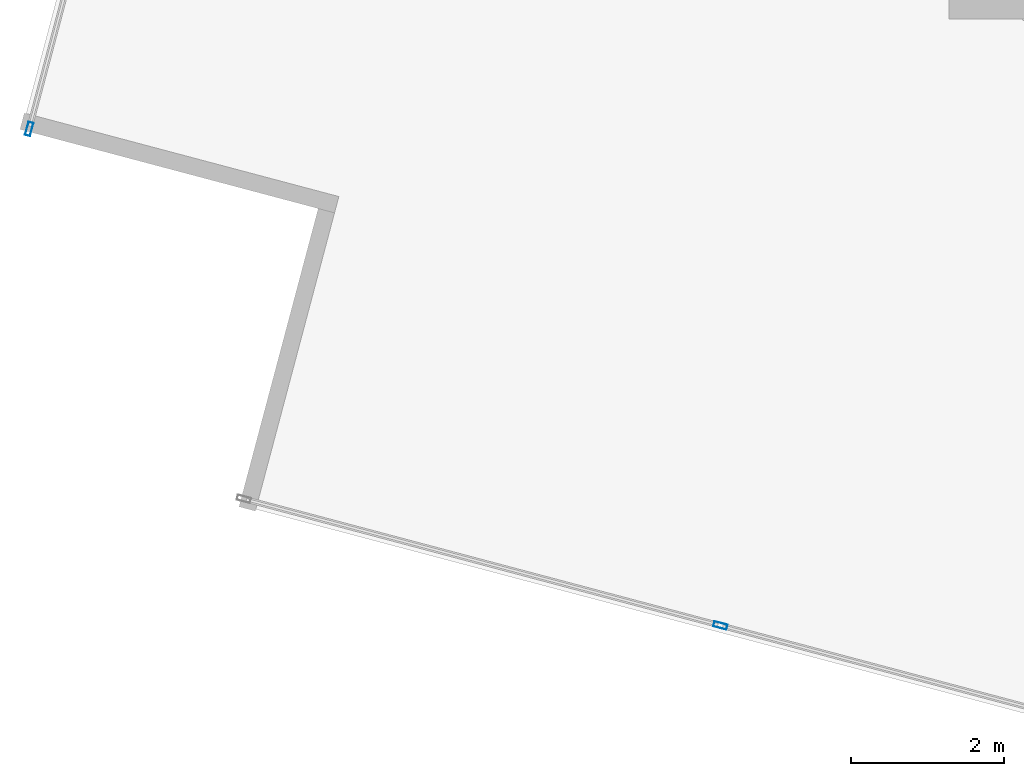
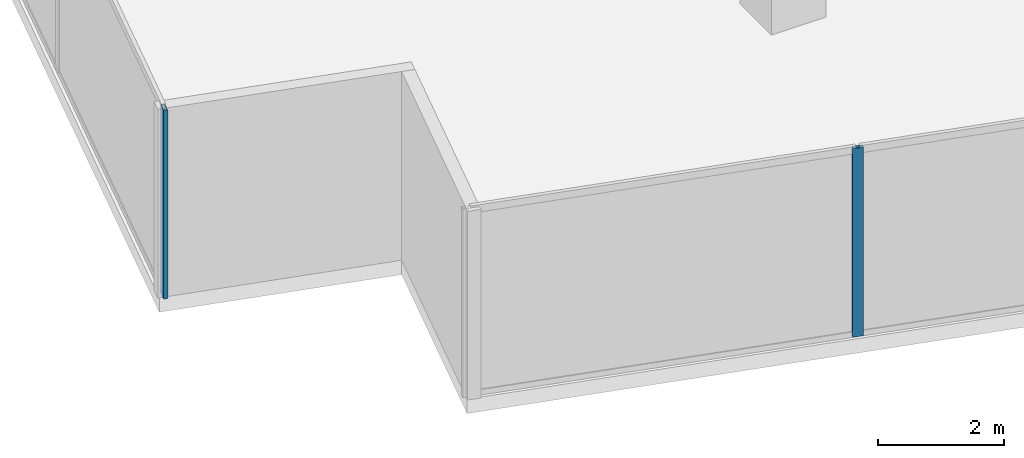
# One storey, part 3 of 27: 2 members, 2 elements without a shape of their own.
"""IFC4 building model written with IfcOpenShell, lengths in metres."""

import ifcopenshell
import ifcopenshell.guid

model = None  # the IFC model being written
_history = None  # IfcOwnerHistory: only IFC2X3 demands one
_inside = {}  # id of a spatial element -> (the spatial element, [elements in it])
_under = {}  # id of a project, library or spatial element -> (it, [spatial elements below it])
_declared = {}  # id of a project -> (the project, [libraries it declares])
_typed = {}  # id of a type object -> (the type object, [elements of that type])
_made_of = {}  # id of a material, layer set ... -> (it, [elements and type objects made of it])


def new_model(schema):
    """Start an empty IFC model of exactly this schema.

    Asked for "IFC4X3", IfcOpenShell would pick the latest addendum, in which some entities
    have other attributes; the version numbers below select the first issue.
    IFC2X3 requires an IfcOwnerHistory on every rooted entity: one is made here for all.
    """
    global model, _history
    if schema == "IFC4X3":
        model = ifcopenshell.file(schema_version=(4, 3, 0, 0))
    else:
        model = ifcopenshell.file(schema=schema)
    _inside.clear()
    _under.clear()
    _declared.clear()
    _typed.clear()
    _made_of.clear()
    _history = None
    if model.schema == "IFC2X3":
        org = make("IfcOrganization", Name="unknown")
        user = make(
            "IfcPersonAndOrganization",
            ThePerson=make("IfcPerson", FamilyName="unknown"),
            TheOrganization=org,
        )
        app = make(
            "IfcApplication",
            ApplicationDeveloper=org,
            Version="unknown",
            ApplicationFullName="unknown",
            ApplicationIdentifier="unknown",
        )
        _history = make(
            "IfcOwnerHistory",
            OwningUser=user,
            OwningApplication=app,
            ChangeAction="ADDED",
            CreationDate=0,
        )
    return model


def make(cls, **values):
    """One entity of the class cls with the attributes given. An attribute that is None is left unset."""
    return model.create_entity(
        cls, **{name: value for name, value in values.items() if value is not None}
    )


def rooted(cls, **values):
    """An entity with a GlobalId (a new one), such as an element, a storey or a relation."""
    return make(cls, GlobalId=ifcopenshell.guid.new(), OwnerHistory=_history, **values)


def si_unit(unit_type, name, prefix=None):
    """IfcSIUnit, for example si_unit("LENGTHUNIT", "METRE", prefix="MILLI")."""
    return make("IfcSIUnit", UnitType=unit_type, Prefix=prefix, Name=name)


def assignment(units):
    """IfcUnitAssignment: the units of a project."""
    return None if units is None else make("IfcUnitAssignment", Units=units)


def point(xyz):
    """IfcCartesianPoint."""
    return None if xyz is None else make("IfcCartesianPoint", Coordinates=xyz)


def direction(xyz):
    """IfcDirection."""
    return None if xyz is None else make("IfcDirection", DirectionRatios=xyz)


def frame(location, z_axis=None, x_axis=None):
    """IfcAxis2Placement3D, a coordinate frame: its origin and axes. An axis left out is left unset."""
    return make(
        "IfcAxis2Placement3D",
        Location=point(location),
        Axis=direction(z_axis),
        RefDirection=direction(x_axis),
    )


def frame_2d(location, x_axis=None):
    """IfcAxis2Placement2D, a coordinate frame in the plane: its origin and x axis."""
    return make(
        "IfcAxis2Placement2D", Location=point(location), RefDirection=direction(x_axis)
    )


def origin():
    """The frame at (0, 0, 0) with its axes left unset."""
    return frame((0.0, 0.0, 0.0))


def origin_2d():
    """The frame at (0, 0) in the plane with its x axis left unset."""
    return frame_2d((0.0, 0.0))


def place(relative_to, where):
    """IfcLocalPlacement: puts the frame where relative to a parent placement (None: the world)."""
    return make(
        "IfcLocalPlacement", PlacementRelTo=relative_to, RelativePlacement=where
    )


def context(
    kind, dimensions, precision=None, world=None, true_north=None, identifier=None
):
    """IfcGeometricRepresentationContext, for example the 3D "Model" context."""
    return make(
        "IfcGeometricRepresentationContext",
        ContextIdentifier=identifier,
        ContextType=kind,
        CoordinateSpaceDimension=dimensions,
        Precision=precision,
        WorldCoordinateSystem=world,
        TrueNorth=true_north,
    )


def subcontext(parent, identifier, kind, view, scale=None):
    """IfcGeometricRepresentationSubContext, for example "Body" below "Model"."""
    return make(
        "IfcGeometricRepresentationSubContext",
        ContextIdentifier=identifier,
        ContextType=kind,
        ParentContext=parent,
        TargetScale=scale,
        TargetView=view,
    )


def project(units=None, contexts=None):
    """IfcProject with its units and contexts."""
    return rooted(
        "IfcProject",
        Name="project",
        RepresentationContexts=contexts,
        UnitsInContext=assignment(units),
    )


def spatial(cls, under=None, at=None, **own):
    """A site, building, storey or space (cls), placed at a placement, below another one or the project."""
    s = rooted(cls, ObjectPlacement=at, **own)
    if under is not None:
        _under.setdefault(under.id(), (under, []))[1].append(s)
    return s


def profile(cls, at=None, kind="AREA", **sizes):
    """A parametric profile (cls). Its sizes go by their IFC names, for example OverallWidth=200.0."""
    return make(cls, ProfileType=kind, Position=at, **sizes)


def hollow_rectangle(**sizes):
    """IfcRectangleHollowProfileDef."""
    return profile("IfcRectangleHollowProfileDef", **sizes)


def extrude(swept, where, along, depth):
    """IfcExtrudedAreaSolid: the profile swept, set in the frame where, extruded along a direction by depth."""
    return make(
        "IfcExtrudedAreaSolid",
        SweptArea=swept,
        Position=where,
        ExtrudedDirection=direction(along),
        Depth=depth,
    )


def shape(context_of_items, identifier, shape_type, items):
    """IfcShapeRepresentation: the items that make up one representation, for example the "Body"."""
    return make(
        "IfcShapeRepresentation",
        ContextOfItems=context_of_items,
        RepresentationIdentifier=identifier,
        RepresentationType=shape_type,
        Items=items,
    )


def source(mapping_origin, context_of_items, identifier, shape_type, items):
    """IfcRepresentationMap: a shape defined once, which mapped items show again and again."""
    return make(
        "IfcRepresentationMap",
        MappingOrigin=mapping_origin,
        MappedRepresentation=shape(context_of_items, identifier, shape_type, items),
    )


def transform(
    local_origin,
    x_axis=None,
    y_axis=None,
    z_axis=None,
    scale=None,
    scale2=None,
    scale3=None,
    uniform=True,
):
    """IfcCartesianTransformationOperator3D, or its non-uniform kind. x_axis, y_axis, z_axis: its Axis1, 2, 3."""
    if uniform:
        return make(
            "IfcCartesianTransformationOperator3D",
            Axis1=direction(x_axis),
            Axis2=direction(y_axis),
            LocalOrigin=point(local_origin),
            Scale=scale,
            Axis3=direction(z_axis),
        )
    return make(
        "IfcCartesianTransformationOperator3DnonUniform",
        Axis1=direction(x_axis),
        Axis2=direction(y_axis),
        LocalOrigin=point(local_origin),
        Scale=scale,
        Axis3=direction(z_axis),
        Scale2=scale2,
        Scale3=scale3,
    )


def mapped(mapping_source, mapping_target):
    """IfcMappedItem: shows the shape of a source again, moved by a transform."""
    return make(
        "IfcMappedItem", MappingSource=mapping_source, MappingTarget=mapping_target
    )


def material(Name=None, Category=None):
    """IfcMaterial."""
    return make("IfcMaterial", Name=Name, Category=Category)


def material_profile(
    of_material, cross_section, Name=None, Category=None, Priority=None
):
    """IfcMaterialProfile: a cross section and its material."""
    return make(
        "IfcMaterialProfile",
        Name=Name,
        Material=of_material,
        Profile=cross_section,
        Priority=Priority,
        Category=Category,
    )


def profile_set(profiles, Name=None, composite=None):
    """IfcMaterialProfileSet."""
    return make(
        "IfcMaterialProfileSet",
        Name=Name,
        MaterialProfiles=profiles,
        CompositeProfile=composite,
    )


def made_of(thing, what):
    """Note that an element or type object is made of a material, layer set ...; save() writes the relation."""
    if what is not None:
        _made_of.setdefault(what.id(), (what, []))[1].append(thing)
    return thing


def type_object(cls, material=None, **own):
    """A type object (cls), such as IfcWallType, which elements share."""
    return made_of(rooted(cls, **own), material)


def type_shapes(of_type, sources):
    """Give a type object the sources (RepresentationMaps) that its elements show as mapped items."""
    of_type.RepresentationMaps = sources


def element(
    cls,
    number,
    at=None,
    inside=None,
    cuts=None,
    type_object=None,
    material=None,
    context=None,
    identifier="Body",
    shape_type=None,
    held_by="IfcProductDefinitionShape",
    body=None,
    shapes=None,
    **own,
):
    """One element of the class cls, such as IfcWall. Its Tag is "e" and its number.

    at: its placement. inside: the storey or other place that contains it. cuts: it is an
    opening in that element (IfcRelVoidsElement). A single representation is given by context,
    identifier, shape_type and body (its items); several are given by shapes. held_by: the class
    of the entity that holds the representations. save() writes the other relations.
    """
    e = rooted(cls, Tag="e%d" % number, ObjectPlacement=at, **own)
    if body is not None:
        shapes = [shape(context, identifier, shape_type, body)]
    if shapes is not None:
        e.Representation = make(held_by, Representations=shapes)
    if inside is not None:
        _inside.setdefault(inside.id(), (inside, []))[1].append(e)
    if cuts is not None:
        rooted(
            "IfcRelVoidsElement", RelatingBuildingElement=cuts, RelatedOpeningElement=e
        )
    if type_object is not None:
        _typed.setdefault(type_object.id(), (type_object, []))[1].append(e)
    return made_of(e, material)


def aggregate(whole, parts):
    """IfcRelAggregates: a whole, such as a stair, and the parts it consists of."""
    return rooted("IfcRelAggregates", RelatingObject=whole, RelatedObjects=parts)


def save(model, path):
    """Write the relations noted so far, then the file.

    IfcRelAggregates (storeys below a building ...), IfcRelContainedInSpatialStructure (elements
    in a storey), IfcRelDefinesByType, IfcRelAssociatesMaterial and IfcRelDeclares: one each for
    every whole, place, type object, material and project.
    """
    for whole, parts in _under.values():
        aggregate(whole, parts)
    for where, things in _inside.values():
        rooted(
            "IfcRelContainedInSpatialStructure",
            RelatedElements=things,
            RelatingStructure=where,
        )
    for kind, things in _typed.values():
        rooted("IfcRelDefinesByType", RelatedObjects=things, RelatingType=kind)
    for what, things in _made_of.values():
        rooted("IfcRelAssociatesMaterial", RelatedObjects=things, RelatingMaterial=what)
    for by, libraries in _declared.values():
        rooted("IfcRelDeclares", RelatingContext=by, RelatedDefinitions=libraries)
    model.write(path)


model = new_model("IFC4")

# Units and contexts
model_context = context("Model", 3, precision=1e-05, world=origin(), true_north=direction((0.0, 1.0)))
body_context = subcontext(model_context, "Body", "Model", "MODEL_VIEW")
ifc_project = project(units=[si_unit("LENGTHUNIT", "METRE"), si_unit("AREAUNIT", "SQUARE_METRE"), si_unit("VOLUMEUNIT", "CUBIC_METRE"), si_unit("PLANEANGLEUNIT", "RADIAN"), si_unit("MASSUNIT", "GRAM", prefix="KILO")], contexts=[model_context])

# Site, building, storey
site_placement = place(None, origin())
site = spatial("IfcSite", under=ifc_project, at=site_placement, CompositionType="ELEMENT")
building_placement = place(site_placement, origin())
building = spatial("IfcBuilding", under=site, at=building_placement, Name="Krantzveldt Concourse Tower", CompositionType="ELEMENT")
storey_placement = place(building_placement, frame((0.0, 0.0, 101.89990234375)))
storey = spatial("IfcBuildingStorey", under=building, at=storey_placement, Name="L24", CompositionType="ELEMENT", Elevation=101.89990234375)

# Curtain wall, member
ifc_material = material(Name="Anodised aluminium 6063-T6", Category="aluminium")
curtain_wall_type = type_object("IfcCurtainWallType", Name="CW2", PredefinedType="USERDEFINED", material=ifc_material)
curtain_wall_1_placement = place(storey_placement, origin())
curtain_wall_1 = element("IfcCurtainWall", 1, at=curtain_wall_1_placement, inside=storey, type_object=curtain_wall_type, Name="CW-L24-F01", ObjectType="UNITISED CURTAIN WALL", PredefinedType="USERDEFINED")
ifc_material_profile = material_profile(ifc_material, hollow_rectangle(XDim=0.070068359375, YDim=0.179931640625, WallThickness=0.0048828125, at=origin_2d()), Name="Anodised aluminium 6063-T6", Category="aluminium")
ifc_profile_set = profile_set([ifc_material_profile], Name="Anodised aluminium 6063-T6 - ALU-MULL 180x70x5")
member_type = type_object("IfcMemberType", Name="CW-MUL-180", PredefinedType="MULLION", material=ifc_profile_set)
shared_shape = source(origin(), body_context, "Body", "SweptSolid", [
    extrude(hollow_rectangle(XDim=0.070068359375, YDim=0.179931640625, WallThickness=0.0048828125, at=origin_2d()), origin(), (0.0, 0.0, 1.0), 3.670166015625),
])
type_shapes(member_type, [shared_shape])
member_1_placement = place(storey_placement, frame((8.5, 13.968017578125, 0.0), z_axis=(0.0, 0.0, 1.0), x_axis=(0.966488186373, -0.256711093648, 0.0)))
member_1 = element("IfcMember", 2, at=member_1_placement, type_object=member_type, Name="CW-Z12 mullion 7", PredefinedType="MULLION", context=body_context, shape_type="MappedRepresentation", body=[
    mapped(shared_shape, transform((0.0, 0.0, 0.0), x_axis=(1.0, 0.0, 0.0), y_axis=(0.0, 1.0, 0.0), z_axis=(0.0, 0.0, 1.0), scale=1.0)),
])
aggregate(curtain_wall_1, [member_1])

curtain_wall_2_placement = place(storey_placement, origin())
curtain_wall_2 = element("IfcCurtainWall", 3, at=curtain_wall_2_placement, inside=storey, type_object=curtain_wall_type, Name="CW-L24-F04", ObjectType="UNITISED CURTAIN WALL", PredefinedType="USERDEFINED")
member_2_placement = place(storey_placement, frame((17.51611328125, 7.4912109375, 0.0), z_axis=(0.0, 0.0, 1.0), x_axis=(0.256711093648, 0.966488186373, 0.0)))
member_2 = element("IfcMember", 4, at=member_2_placement, type_object=member_type, Name="CW-Z12 mullion 2", PredefinedType="MULLION", context=body_context, shape_type="MappedRepresentation", body=[
    mapped(shared_shape, transform((0.0, 0.0, 0.0), x_axis=(1.0, 0.0, 0.0), y_axis=(0.0, 1.0, 0.0), z_axis=(0.0, 0.0, 1.0), scale=1.0)),
])
aggregate(curtain_wall_2, [member_2])

save(model, "model.ifc")
